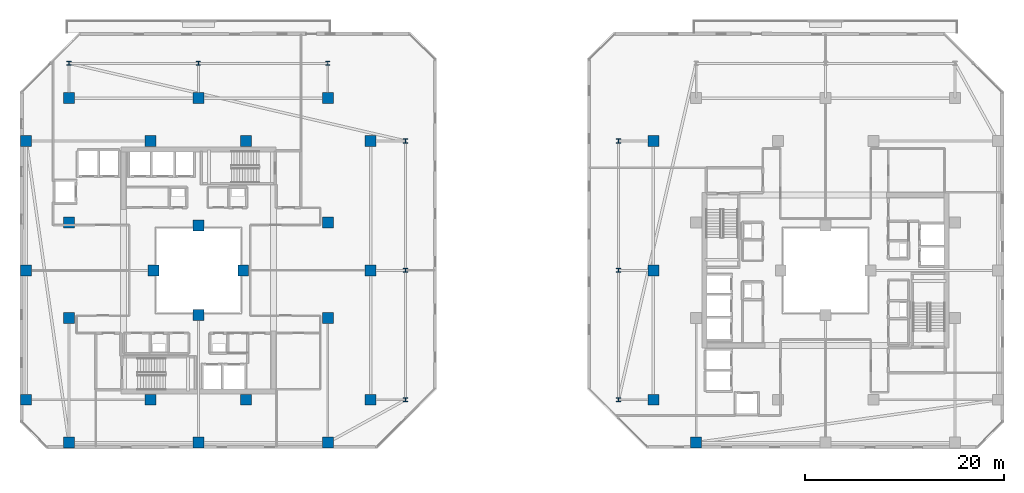
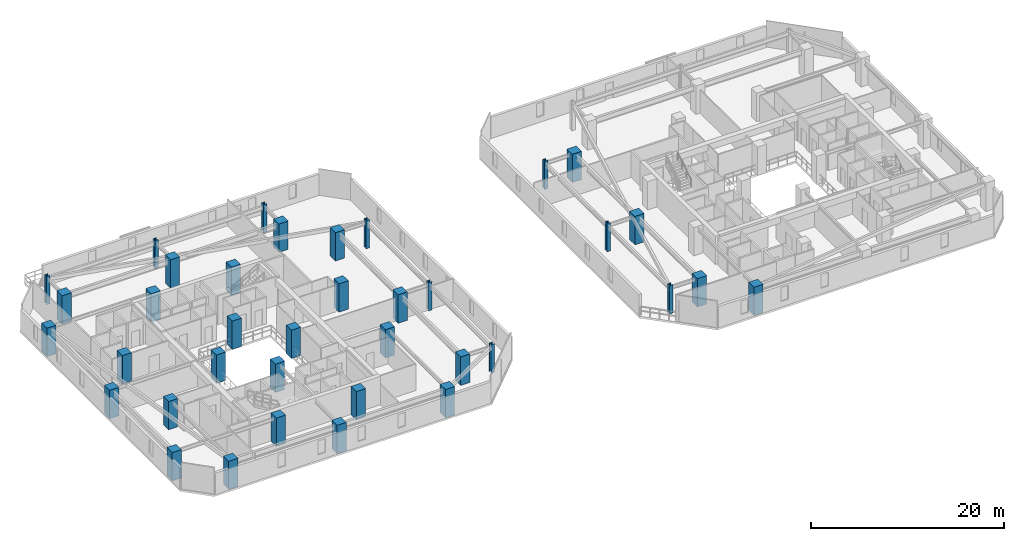
# One storey, part 1 of 32: 37 columns.
"""IFC4 building model written with IfcOpenShell, lengths in metres."""

import ifcopenshell
import ifcopenshell.guid

model = None  # the IFC model being written
_history = None  # IfcOwnerHistory: only IFC2X3 demands one
_inside = {}  # id of a spatial element -> (the spatial element, [elements in it])
_under = {}  # id of a project, library or spatial element -> (it, [spatial elements below it])
_declared = {}  # id of a project -> (the project, [libraries it declares])
_typed = {}  # id of a type object -> (the type object, [elements of that type])
_made_of = {}  # id of a material, layer set ... -> (it, [elements and type objects made of it])


def new_model(schema):
    """Start an empty IFC model of exactly this schema.

    Asked for "IFC4X3", IfcOpenShell would pick the latest addendum, in which some entities
    have other attributes; the version numbers below select the first issue.
    IFC2X3 requires an IfcOwnerHistory on every rooted entity: one is made here for all.
    """
    global model, _history
    if schema == "IFC4X3":
        model = ifcopenshell.file(schema_version=(4, 3, 0, 0))
    else:
        model = ifcopenshell.file(schema=schema)
    _inside.clear()
    _under.clear()
    _declared.clear()
    _typed.clear()
    _made_of.clear()
    _history = None
    if model.schema == "IFC2X3":
        org = make("IfcOrganization", Name="unknown")
        user = make(
            "IfcPersonAndOrganization",
            ThePerson=make("IfcPerson", FamilyName="unknown"),
            TheOrganization=org,
        )
        app = make(
            "IfcApplication",
            ApplicationDeveloper=org,
            Version="unknown",
            ApplicationFullName="unknown",
            ApplicationIdentifier="unknown",
        )
        _history = make(
            "IfcOwnerHistory",
            OwningUser=user,
            OwningApplication=app,
            ChangeAction="ADDED",
            CreationDate=0,
        )
    return model


def make(cls, **values):
    """One entity of the class cls with the attributes given. An attribute that is None is left unset."""
    return model.create_entity(
        cls, **{name: value for name, value in values.items() if value is not None}
    )


def rooted(cls, **values):
    """An entity with a GlobalId (a new one), such as an element, a storey or a relation."""
    return make(cls, GlobalId=ifcopenshell.guid.new(), OwnerHistory=_history, **values)


def si_unit(unit_type, name, prefix=None):
    """IfcSIUnit, for example si_unit("LENGTHUNIT", "METRE", prefix="MILLI")."""
    return make("IfcSIUnit", UnitType=unit_type, Prefix=prefix, Name=name)


def assignment(units):
    """IfcUnitAssignment: the units of a project."""
    return None if units is None else make("IfcUnitAssignment", Units=units)


def point(xyz):
    """IfcCartesianPoint."""
    return None if xyz is None else make("IfcCartesianPoint", Coordinates=xyz)


def direction(xyz):
    """IfcDirection."""
    return None if xyz is None else make("IfcDirection", DirectionRatios=xyz)


def frame(location, z_axis=None, x_axis=None):
    """IfcAxis2Placement3D, a coordinate frame: its origin and axes. An axis left out is left unset."""
    return make(
        "IfcAxis2Placement3D",
        Location=point(location),
        Axis=direction(z_axis),
        RefDirection=direction(x_axis),
    )


def frame_2d(location, x_axis=None):
    """IfcAxis2Placement2D, a coordinate frame in the plane: its origin and x axis."""
    return make(
        "IfcAxis2Placement2D", Location=point(location), RefDirection=direction(x_axis)
    )


def origin():
    """The frame at (0, 0, 0) with its axes left unset."""
    return frame((0.0, 0.0, 0.0))


def origin_2d():
    """The frame at (0, 0) in the plane with its x axis left unset."""
    return frame_2d((0.0, 0.0))


def place(relative_to, where):
    """IfcLocalPlacement: puts the frame where relative to a parent placement (None: the world)."""
    return make(
        "IfcLocalPlacement", PlacementRelTo=relative_to, RelativePlacement=where
    )


def context(
    kind, dimensions, precision=None, world=None, true_north=None, identifier=None
):
    """IfcGeometricRepresentationContext, for example the 3D "Model" context."""
    return make(
        "IfcGeometricRepresentationContext",
        ContextIdentifier=identifier,
        ContextType=kind,
        CoordinateSpaceDimension=dimensions,
        Precision=precision,
        WorldCoordinateSystem=world,
        TrueNorth=true_north,
    )


def subcontext(parent, identifier, kind, view, scale=None):
    """IfcGeometricRepresentationSubContext, for example "Body" below "Model"."""
    return make(
        "IfcGeometricRepresentationSubContext",
        ContextIdentifier=identifier,
        ContextType=kind,
        ParentContext=parent,
        TargetScale=scale,
        TargetView=view,
    )


def project(units=None, contexts=None):
    """IfcProject with its units and contexts."""
    return rooted(
        "IfcProject",
        Name="project",
        RepresentationContexts=contexts,
        UnitsInContext=assignment(units),
    )


def spatial(cls, under=None, at=None, **own):
    """A site, building, storey or space (cls), placed at a placement, below another one or the project."""
    s = rooted(cls, ObjectPlacement=at, **own)
    if under is not None:
        _under.setdefault(under.id(), (under, []))[1].append(s)
    return s


def profile(cls, at=None, kind="AREA", **sizes):
    """A parametric profile (cls). Its sizes go by their IFC names, for example OverallWidth=200.0."""
    return make(cls, ProfileType=kind, Position=at, **sizes)


def rectangle(**sizes):
    """IfcRectangleProfileDef."""
    return profile("IfcRectangleProfileDef", **sizes)


def i_section(**sizes):
    """IfcIShapeProfileDef."""
    return profile("IfcIShapeProfileDef", **sizes)


def extrude(swept, where, along, depth):
    """IfcExtrudedAreaSolid: the profile swept, set in the frame where, extruded along a direction by depth."""
    return make(
        "IfcExtrudedAreaSolid",
        SweptArea=swept,
        Position=where,
        ExtrudedDirection=direction(along),
        Depth=depth,
    )


def shape(context_of_items, identifier, shape_type, items):
    """IfcShapeRepresentation: the items that make up one representation, for example the "Body"."""
    return make(
        "IfcShapeRepresentation",
        ContextOfItems=context_of_items,
        RepresentationIdentifier=identifier,
        RepresentationType=shape_type,
        Items=items,
    )


def material(Name=None, Category=None):
    """IfcMaterial."""
    return make("IfcMaterial", Name=Name, Category=Category)


def material_profile(
    of_material, cross_section, Name=None, Category=None, Priority=None
):
    """IfcMaterialProfile: a cross section and its material."""
    return make(
        "IfcMaterialProfile",
        Name=Name,
        Material=of_material,
        Profile=cross_section,
        Priority=Priority,
        Category=Category,
    )


def profile_set(profiles, Name=None, composite=None):
    """IfcMaterialProfileSet."""
    return make(
        "IfcMaterialProfileSet",
        Name=Name,
        MaterialProfiles=profiles,
        CompositeProfile=composite,
    )


def made_of(thing, what):
    """Note that an element or type object is made of a material, layer set ...; save() writes the relation."""
    if what is not None:
        _made_of.setdefault(what.id(), (what, []))[1].append(thing)
    return thing


def type_object(cls, material=None, **own):
    """A type object (cls), such as IfcWallType, which elements share."""
    return made_of(rooted(cls, **own), material)


def element(
    cls,
    number,
    at=None,
    inside=None,
    cuts=None,
    type_object=None,
    material=None,
    context=None,
    identifier="Body",
    shape_type=None,
    held_by="IfcProductDefinitionShape",
    body=None,
    shapes=None,
    **own,
):
    """One element of the class cls, such as IfcWall. Its Tag is "e" and its number.

    at: its placement. inside: the storey or other place that contains it. cuts: it is an
    opening in that element (IfcRelVoidsElement). A single representation is given by context,
    identifier, shape_type and body (its items); several are given by shapes. held_by: the class
    of the entity that holds the representations. save() writes the other relations.
    """
    e = rooted(cls, Tag="e%d" % number, ObjectPlacement=at, **own)
    if body is not None:
        shapes = [shape(context, identifier, shape_type, body)]
    if shapes is not None:
        e.Representation = make(held_by, Representations=shapes)
    if inside is not None:
        _inside.setdefault(inside.id(), (inside, []))[1].append(e)
    if cuts is not None:
        rooted(
            "IfcRelVoidsElement", RelatingBuildingElement=cuts, RelatedOpeningElement=e
        )
    if type_object is not None:
        _typed.setdefault(type_object.id(), (type_object, []))[1].append(e)
    return made_of(e, material)


def aggregate(whole, parts):
    """IfcRelAggregates: a whole, such as a stair, and the parts it consists of."""
    return rooted("IfcRelAggregates", RelatingObject=whole, RelatedObjects=parts)


def save(model, path):
    """Write the relations noted so far, then the file.

    IfcRelAggregates (storeys below a building ...), IfcRelContainedInSpatialStructure (elements
    in a storey), IfcRelDefinesByType, IfcRelAssociatesMaterial and IfcRelDeclares: one each for
    every whole, place, type object, material and project.
    """
    for whole, parts in _under.values():
        aggregate(whole, parts)
    for where, things in _inside.values():
        rooted(
            "IfcRelContainedInSpatialStructure",
            RelatedElements=things,
            RelatingStructure=where,
        )
    for kind, things in _typed.values():
        rooted("IfcRelDefinesByType", RelatedObjects=things, RelatingType=kind)
    for what, things in _made_of.values():
        rooted("IfcRelAssociatesMaterial", RelatedObjects=things, RelatingMaterial=what)
    for by, libraries in _declared.values():
        rooted("IfcRelDeclares", RelatingContext=by, RelatedDefinitions=libraries)
    model.write(path)


model = new_model("IFC4")

# Units and contexts
model_context = context("Model", 3, precision=1e-05, world=origin(), true_north=direction((0.0, 1.0)))
body_context = subcontext(model_context, "Body", "Model", "MODEL_VIEW")
ifc_project = project(units=[si_unit("LENGTHUNIT", "METRE"), si_unit("AREAUNIT", "SQUARE_METRE"), si_unit("VOLUMEUNIT", "CUBIC_METRE"), si_unit("PLANEANGLEUNIT", "RADIAN"), si_unit("MASSUNIT", "GRAM", prefix="KILO")], contexts=[model_context])

# Site, building, storey
site_placement = place(None, origin())
site = spatial("IfcSite", under=ifc_project, at=site_placement, CompositionType="ELEMENT")
building_placement = place(site_placement, origin())
building = spatial("IfcBuilding", under=site, at=building_placement, Name="Thornwick Lancets Civic Towers", CompositionType="ELEMENT")
storey_placement = place(building_placement, frame((0.0, 0.0, 178.5)))
storey = spatial("IfcBuildingStorey", under=building, at=storey_placement, Name="L47", CompositionType="ELEMENT", Elevation=178.5)

# Columns
ifc_material_1 = material(Name="Concrete C50/60", Category="concrete")
ifc_material_profile_1 = material_profile(ifc_material_1, rectangle(XDim=1.10009765625, YDim=1.10009765625, at=origin_2d()), Name="RC 1100x1100")
ifc_profile_set_1 = profile_set([ifc_material_profile_1], Name="Concrete C50/60")
column_type_1 = type_object("IfcColumnType", Name="COL_RC_1100", PredefinedType="COLUMN", material=ifc_profile_set_1)
for number, where, z_axis, x_axis, name in (
    (1, (12.5, 9.699951171875, 0.0), (0.0, 0.0, 1.0), (1.0, 0.0, 0.0), "L47 Spine Mega-Column A01"),
    (2, (25.5, 9.699951171875, 0.0), (0.0, 0.0, 1.0), (1.0, 0.0, 0.0), "L47 Spine Mega-Column A02"),
    (3, (38.5, 9.699951171875, 0.0), (0.0, 0.0, 1.0), (1.0, 0.0, 0.0), "L47 Spine Mega-Column A03"),
    (4, (42.800048828125, 14.0, 0.0), (0.0, 0.0, 1.0), (1.0, 0.0, 0.0), "L47 Spine Mega-Column A04"),
    (5, (42.800048828125, 27.0, 0.0), (0.0, 0.0, 1.0), (1.0, 0.0, 0.0), "L47 Spine Mega-Column A05"),
    (6, (42.800048828125, 40.0, 0.0), (0.0, 0.0, 1.0), (1.0, 0.0, 0.0), "L47 Spine Mega-Column A06"),
    (7, (12.5, 44.300048828125, 0.0), (0.0, 0.0, 1.0), (1.0, 0.0, 0.0), "L47 Spine Mega-Column A07"),
    (8, (25.5, 44.300048828125, 0.0), (0.0, 0.0, 1.0), (1.0, 0.0, 0.0), "L47 Spine Mega-Column A08"),
    (9, (38.5, 44.300048828125, 0.0), (0.0, 0.0, 1.0), (1.0, 0.0, 0.0), "L47 Spine Mega-Column A09"),
    (10, (8.199951171875, 14.0, 0.0), (0.0, 0.0, 1.0), (1.0, 0.0, 0.0), "L47 Spine Mega-Column A10"),
    (11, (8.199951171875, 27.0, 0.0), (0.0, 0.0, 1.0), (1.0, 0.0, 0.0), "L47 Spine Mega-Column A11"),
    (12, (8.199951171875, 40.0, 0.0), (0.0, 0.0, 1.0), (1.0, 0.0, 0.0), "L47 Spine Mega-Column A12"),
    (13, (12.5, 22.199951171875, 0.0), (0.0, 0.0, 1.0), (1.0, 0.0, 0.0), "L47 Spine Mega-Column A13"),
    (14, (38.5, 22.199951171875, 0.0), (0.0, 0.0, 1.0), (1.0, 0.0, 0.0), "L47 Spine Mega-Column A14"),
    (15, (12.5, 31.800048828125, 0.0), (0.0, 0.0, 1.0), (1.0, 0.0, 0.0), "L47 Spine Mega-Column A15"),
    (16, (38.5, 31.800048828125, 0.0), (0.0, 0.0, 1.0), (1.0, 0.0, 0.0), "L47 Spine Mega-Column A16"),
    (17, (20.699951171875, 14.0, 0.0), (0.0, 0.0, 1.0), (1.0, 0.0, 0.0), "L47 Spine Mega-Column A17"),
    (18, (30.300048828125, 14.0, 0.0), (0.0, 0.0, 1.0), (1.0, 0.0, 0.0), "L47 Spine Mega-Column A18"),
    (19, (20.699951171875, 40.0, 0.0), (0.0, 0.0, 1.0), (1.0, 0.0, 0.0), "L47 Spine Mega-Column A19"),
    (20, (30.300048828125, 40.0, 0.0), (0.0, 0.0, 1.0), (1.0, 0.0, 0.0), "L47 Spine Mega-Column A20"),
    (21, (25.5, 22.5, 0.0), (0.0, 0.0, 1.0), (1.0, 0.0, 0.0), "L47 Spine Mega-Column A21"),
    (22, (25.5, 31.5, 0.0), (0.0, 0.0, 1.0), (1.0, 0.0, 0.0), "L47 Spine Mega-Column A22"),
    (23, (21.0, 27.0, 0.0), (0.0, 0.0, 1.0), (1.0, 0.0, 0.0), "L47 Spine Mega-Column A23"),
    (24, (30.0, 27.0, 0.0), (0.0, 0.0, 1.0), (1.0, 0.0, 0.0), "L47 Spine Mega-Column A24"),
    (25, (71.199951171875, 14.0, 0.0), (0.0, 0.0, 1.0), (1.0, 0.0, 0.0), "L47 Spine Mega-Column B07"),
    (26, (71.199951171875, 27.0, 0.0), (0.0, 0.0, 1.0), (1.0, 0.0, 0.0), "L47 Spine Mega-Column B08"),
    (27, (71.199951171875, 40.0, 0.0), (0.0, 0.0, 1.0), (1.0, 0.0, 0.0), "L47 Spine Mega-Column B09"),
    (28, (75.5, 9.699951171875, 0.0), (0.0, 0.0, 1.0), (1.0, 0.0, 0.0), "L47 Spine Mega-Column B12"),
):
    element("IfcColumn", number, at=place(storey_placement, frame(where, z_axis=z_axis, x_axis=x_axis)), inside=storey, type_object=column_type_1, Name=name, PredefinedType="COLUMN", context=body_context, shape_type="SweptSolid", body=[
        extrude(rectangle(XDim=1.10009765625, YDim=1.10009765625, at=origin_2d()), origin(), (0.0, 0.0, 1.0), 3.60009765625),
    ])
ifc_material_2 = material(Name="Steel S460M", Category="steel")
ifc_material_profile_2 = material_profile(ifc_material_2, i_section(OverallWidth=0.406982421875, OverallDepth=0.4189453125, WebThickness=0.030517578125, FlangeThickness=0.04931640625, FilletRadius=0.01513671875, at=origin_2d()), Name="UKC 356x406x393")
ifc_profile_set_2 = profile_set([ifc_material_profile_2], Name="Steel S460M")
column_type_2 = type_object("IfcColumnType", Name="COL_UKC_393", PredefinedType="COLUMN", material=ifc_profile_set_2)
for number, where, z_axis, x_axis, name in (
    (29, (46.300048828125, 14.0, 0.0), (0.0, 0.0, 1.0), (1.0, 0.0, 0.0), "L47 Block Perimeter Column A04"),
    (30, (46.300048828125, 27.0, 0.0), (0.0, 0.0, 1.0), (1.0, 0.0, 0.0), "L47 Block Perimeter Column A05"),
    (31, (46.300048828125, 40.0, 0.0), (0.0, 0.0, 1.0), (1.0, 0.0, 0.0), "L47 Block Perimeter Column A06"),
    (32, (12.5, 47.800048828125, 0.0), (0.0, 0.0, 1.0), (1.0, 0.0, 0.0), "L47 Block Perimeter Column A07"),
    (33, (25.5, 47.800048828125, 0.0), (0.0, 0.0, 1.0), (1.0, 0.0, 0.0), "L47 Block Perimeter Column A08"),
    (34, (38.5, 47.800048828125, 0.0), (0.0, 0.0, 1.0), (1.0, 0.0, 0.0), "L47 Block Perimeter Column A09"),
    (35, (67.699951171875, 14.0, 0.0), (0.0, 0.0, 1.0), (1.0, 0.0, 0.0), "L47 Block Perimeter Column B07"),
    (36, (67.699951171875, 27.0, 0.0), (0.0, 0.0, 1.0), (1.0, 0.0, 0.0), "L47 Block Perimeter Column B08"),
    (37, (67.699951171875, 40.0, 0.0), (0.0, 0.0, 1.0), (1.0, 0.0, 0.0), "L47 Block Perimeter Column B09"),
):
    element("IfcColumn", number, at=place(storey_placement, frame(where, z_axis=z_axis, x_axis=x_axis)), inside=storey, type_object=column_type_2, Name=name, PredefinedType="COLUMN", context=body_context, shape_type="SweptSolid", body=[
        extrude(i_section(OverallWidth=0.406982421875, OverallDepth=0.4189453125, WebThickness=0.030517578125, FlangeThickness=0.04931640625, FilletRadius=0.01513671875, at=origin_2d()), origin(), (0.0, 0.0, 1.0), 3.60009765625),
    ])

save(model, "model.ifc")
